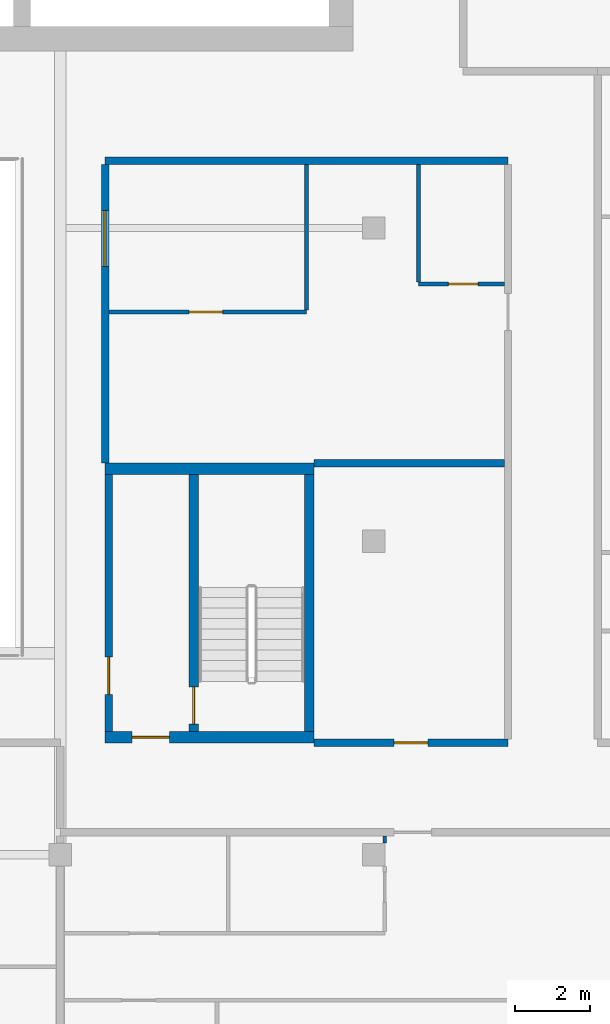
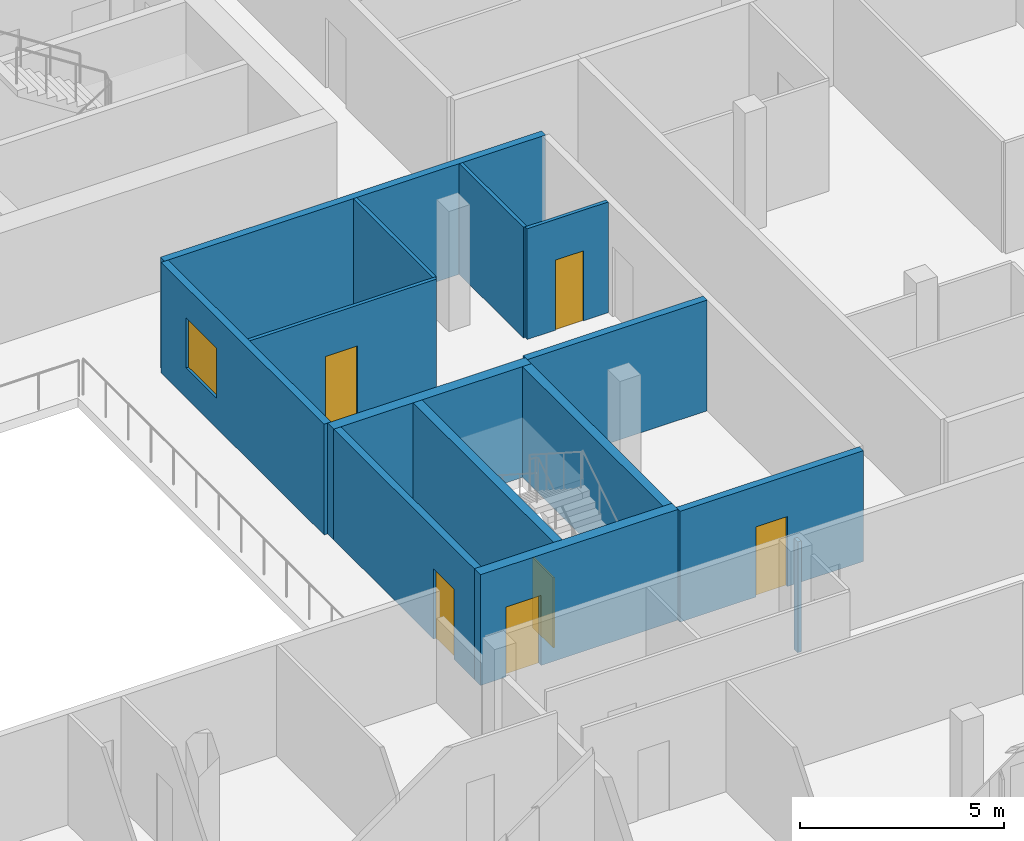
# One storey, part 20 of 30: 14 walls, 6 doors, 1 window, 7 openings.
"""IFC4 building model written with IfcOpenShell, lengths in metres."""

from ifc_helpers import new_model, si_unit, direction, frame, frame_2d, origin, place, context, subcontext, project, spatial, rectangle, extrude, material, layer, layer_set, type_object, element, fill, save


model = new_model("IFC4")

# Units and contexts
model_context = context("Model", 3, precision=1e-05, world=origin(), true_north=direction((0.0, 1.0)))
body_context = subcontext(model_context, "Body", "Model", "MODEL_VIEW")
ifc_project = project(units=[si_unit("LENGTHUNIT", "METRE"), si_unit("AREAUNIT", "SQUARE_METRE"), si_unit("VOLUMEUNIT", "CUBIC_METRE"), si_unit("PLANEANGLEUNIT", "RADIAN"), si_unit("MASSUNIT", "GRAM", prefix="KILO")], contexts=[model_context])

# Site, building, storey
site_placement = place(None, origin())
site = spatial("IfcSite", under=ifc_project, at=site_placement, CompositionType="ELEMENT")
building_placement = place(site_placement, origin())
building = spatial("IfcBuilding", under=site, at=building_placement, Name="Saffron Gate Tower", CompositionType="ELEMENT")
storey_placement = place(building_placement, frame((0.0, 0.0, 237.89990234375)))
storey = spatial("IfcBuildingStorey", under=building, at=storey_placement, Name="L58", CompositionType="ELEMENT", Elevation=237.89990234375)

# Wall, opening, door
ifc_material_1 = material(Name="Gypsum board partition on steel studs", Category="steel")
ifc_layer_1 = layer(ifc_material_1, 0.199951171875)
ifc_layer_set_1 = layer_set([ifc_layer_1], Name="CW10 Core partition 200")
wall_type_1 = type_object("IfcWallType", Name="CW10 Core partition 200", PredefinedType="PARTITIONING", material=ifc_layer_set_1)
wall_1_placement = place(storey_placement, frame((101.5, 43.5, 0.0), z_axis=(0.0, 0.0, 1.0), x_axis=(0.0, 1.0, 0.0)))
wall_1 = element("IfcWall", 1, at=wall_1_placement, inside=storey, type_object=wall_type_1, Name="Wall CW10-L58-E-2", PredefinedType="PARTITIONING", context=body_context, shape_type="SweptSolid", body=[
    extrude(rectangle(XDim=6.89990234375, YDim=0.199951171875, at=frame_2d((3.449951171875, 0.0))), origin(), (0.0, 0.0, 1.0), 3.320068359375),
])
opening_1_placement = place(wall_1_placement, frame((1.0, 0.0, 0.0)))
opening_1 = element("IfcOpeningElement", 2, at=opening_1_placement, cuts=wall_1, Name="Opening CR-22", PredefinedType="OPENING", context=body_context, shape_type="SweptSolid", body=[
    extrude(rectangle(XDim=1.0, YDim=2.10009765625, at=frame_2d((0.5, 1.050048828125))), frame((0.0, 0.10986328125, 0.0), z_axis=(0.0, -1.0, 0.0), x_axis=(1.0, 0.0, 0.0)), (0.0, 0.0, 1.0), 0.219970703125),
])
ifc_material_2 = material(Name="Steel fire door set", Category="steel")
door_type_1 = type_object("IfcDoorType", Name="CD4 Lobby door 1000x2100 EI 120", OperationType="NOTDEFINED", PredefinedType="DOOR", material=ifc_material_2)
door_1_placement = place(opening_1_placement, origin())
door_1 = element("IfcDoor", 3, at=door_1_placement, inside=storey, type_object=door_type_1, Name="DOOR CR-22", OperationType="SINGLE_SWING_LEFT", OverallHeight=2.10009765625, OverallWidth=1.0, PredefinedType="DOOR", context=body_context, shape_type="SweptSolid", body=[
    extrude(rectangle(XDim=1.0, YDim=2.10009765625, at=frame_2d((0.5, 1.050048828125))), frame((0.0, 0.02490234375, 0.0), z_axis=(0.0, -1.0, 0.0), x_axis=(1.0, 0.0, 0.0)), (0.0, 0.0, 1.0), 0.050048828125),
])
fill(opening_1, door_1)

ifc_material_3 = material(Name="Concrete C60", Category="concrete")
ifc_layer_2 = layer(ifc_material_3, 0.25)
ifc_layer_set_2 = layer_set([ifc_layer_2], Name="CW14 RC core wall 250 C60")
wall_type_2 = type_object("IfcWallType", Name="CW14 RC core wall 250 C60", PredefinedType="SOLIDWALL", material=ifc_layer_set_2)
wall_2_placement = place(storey_placement, frame((103.77490234375, 43.5, 0.0), z_axis=(0.0, 0.0, 1.0), x_axis=(0.0, 1.0, 0.0)))
wall_2 = element("IfcWall", 4, at=wall_2_placement, inside=storey, type_object=wall_type_2, Name="Wall CW14-L58-E-3", PredefinedType="SOLIDWALL", context=body_context, shape_type="SweptSolid", body=[
    extrude(rectangle(XDim=6.89990234375, YDim=0.25, at=frame_2d((3.449951171875, 0.0))), origin(), (0.0, 0.0, 1.0), 3.320068359375),
])
opening_2_placement = place(wall_2_placement, frame((0.199951171875, 0.0, 0.0)))
opening_2 = element("IfcOpeningElement", 5, at=opening_2_placement, cuts=wall_2, Name="Opening CR-23", PredefinedType="OPENING", context=body_context, shape_type="SweptSolid", body=[
    extrude(rectangle(XDim=1.0, YDim=2.10009765625, at=frame_2d((0.5, 1.050048828125))), frame((0.0, 0.135009765625, 0.0), z_axis=(0.0, -1.0, 0.0), x_axis=(1.0, 0.0, 0.0)), (0.0, 0.0, 1.0), 0.27001953125),
])
door_type_2 = type_object("IfcDoorType", Name="CD5 Stair door 1000x2100 EI 120", OperationType="NOTDEFINED", PredefinedType="DOOR", material=ifc_material_2)
door_2_placement = place(opening_2_placement, origin())
door_2 = element("IfcDoor", 6, at=door_2_placement, inside=storey, type_object=door_type_2, Name="DOOR CR-23", OperationType="SINGLE_SWING_RIGHT", OverallHeight=2.10009765625, OverallWidth=1.0, PredefinedType="DOOR", context=body_context, shape_type="SweptSolid", body=[
    extrude(rectangle(XDim=1.0, YDim=2.10009765625, at=frame_2d((0.5, 1.050048828125))), frame((0.0, 0.02490234375, 0.0), z_axis=(0.0, -1.0, 0.0), x_axis=(1.0, 0.0, 0.0)), (0.0, 0.0, 1.0), 0.050048828125),
])
fill(opening_2, door_2)

# Wall
wall_3_placement = place(storey_placement, frame((106.875, 43.5, 0.0), z_axis=(0.0, 0.0, 1.0), x_axis=(0.0, 1.0, 0.0)))
element("IfcWall", 7, at=wall_3_placement, inside=storey, type_object=wall_type_2, Name="Wall CW14-L58-E-4", PredefinedType="SOLIDWALL", context=body_context, shape_type="SweptSolid", body=[
    extrude(rectangle(XDim=6.89990234375, YDim=0.25, at=frame_2d((3.449951171875, 0.0))), origin(), (0.0, 0.0, 1.0), 3.320068359375),
])

# Wall, opening, door
ifc_layer_3 = layer(ifc_material_3, 0.300048828125)
ifc_layer_set_3 = layer_set([ifc_layer_3], Name="CW17 RC core wall 300 C60")
wall_type_3 = type_object("IfcWallType", Name="CW17 RC core wall 300 C60", PredefinedType="SOLIDWALL", material=ifc_layer_set_3)
wall_4_placement = place(storey_placement, frame((101.39990234375, 43.35009765625, 0.0), z_axis=(0.0, 0.0, 1.0), x_axis=(1.0, 0.0, 0.0)))
wall_4 = element("IfcWall", 8, at=wall_4_placement, inside=storey, type_object=wall_type_3, Name="Wall CW17-L58-E-1", PredefinedType="SOLIDWALL", context=body_context, shape_type="SweptSolid", body=[
    extrude(rectangle(XDim=5.60009765625, YDim=0.300048828125, at=frame_2d((2.800048828125, 0.0))), origin(), (0.0, 0.0, 1.0), 3.320068359375),
])
opening_3_placement = place(wall_4_placement, frame((0.72509765625, 0.0, 0.0)))
opening_3 = element("IfcOpeningElement", 9, at=opening_3_placement, cuts=wall_4, Name="Opening CR-21", PredefinedType="OPENING", context=body_context, shape_type="SweptSolid", body=[
    extrude(rectangle(XDim=1.0, YDim=2.10009765625, at=frame_2d((0.5, 1.050048828125))), frame((0.0, 0.16015625, 0.0), z_axis=(0.0, -1.0, 0.0), x_axis=(1.0, 0.0, 0.0)), (0.0, 0.0, 1.0), 0.320068359375),
])
door_3_placement = place(opening_3_placement, origin())
door_3 = element("IfcDoor", 10, at=door_3_placement, inside=storey, type_object=door_type_1, Name="DOOR CR-21", OperationType="SINGLE_SWING_RIGHT", OverallHeight=2.10009765625, OverallWidth=1.0, PredefinedType="DOOR", context=body_context, shape_type="SweptSolid", body=[
    extrude(rectangle(XDim=1.0, YDim=2.10009765625, at=frame_2d((0.5, 1.050048828125))), frame((0.0, 0.02490234375, 0.0), z_axis=(0.0, -1.0, 0.0), x_axis=(1.0, 0.0, 0.0)), (0.0, 0.0, 1.0), 0.050048828125),
])
fill(opening_3, door_3)

# Wall
wall_5_placement = place(storey_placement, frame((101.39990234375, 50.550048828125, 0.0), z_axis=(0.0, 0.0, 1.0), x_axis=(1.0, 0.0, 0.0)))
element("IfcWall", 11, at=wall_5_placement, inside=storey, type_object=wall_type_3, Name="Wall CW17-L58-E-5", PredefinedType="SOLIDWALL", context=body_context, shape_type="SweptSolid", body=[
    extrude(rectangle(XDim=5.60009765625, YDim=0.300048828125, at=frame_2d((2.800048828125, 0.0))), origin(), (0.0, 0.0, 1.0), 3.320068359375),
])

# Wall, opening, door
ifc_material_4 = material(Name="Plasterboard on steel studs", Category="steel")
ifc_layer_4 = layer(ifc_material_4, 0.10009765625)
ifc_layer_set_4 = layer_set([ifc_layer_4], Name="PW1 Partition 100")
wall_type_4 = type_object("IfcWallType", Name="PW1 Partition 100", PredefinedType="PARTITIONING", material=ifc_layer_set_4)
wall_6_placement = place(storey_placement, frame((101.5, 54.75, 0.0), z_axis=(0.0, 0.0, 1.0), x_axis=(1.0, 0.0, 0.0)))
wall_6 = element("IfcWall", 12, at=wall_6_placement, inside=storey, type_object=wall_type_4, Name="Partition D4-36", PredefinedType="PARTITIONING", context=body_context, shape_type="SweptSolid", body=[
    extrude(rectangle(XDim=5.300048828125, YDim=0.10009765625, at=frame_2d((2.64990234375, 0.0))), origin(), (0.0, 0.0, 1.0), 3.320068359375),
])
opening_4_placement = place(wall_6_placement, frame((2.14990234375, 0.0, 0.0)))
opening_4 = element("IfcOpeningElement", 13, at=opening_4_placement, cuts=wall_6, Name="Opening D4-36", PredefinedType="OPENING", context=body_context, shape_type="SweptSolid", body=[
    extrude(rectangle(XDim=0.89990234375, YDim=2.10009765625, at=frame_2d((0.449951171875, 1.050048828125))), frame((0.0, 0.06005859375, 0.0), z_axis=(0.0, -1.0, 0.0), x_axis=(1.0, 0.0, 0.0)), (0.0, 0.0, 1.0), 0.1201171875),
])
ifc_material_5 = material(Name="Timber door set", Category="wood")
door_type_3 = type_object("IfcDoorType", Name="RD1 Room door 900x2100", OperationType="NOTDEFINED", PredefinedType="DOOR", material=ifc_material_5)
door_4_placement = place(opening_4_placement, origin())
door_4 = element("IfcDoor", 14, at=door_4_placement, inside=storey, type_object=door_type_3, Name="Door D4-36", OperationType="SINGLE_SWING_LEFT", OverallHeight=2.10009765625, OverallWidth=0.89990234375, PredefinedType="DOOR", context=body_context, shape_type="SweptSolid", body=[
    extrude(rectangle(XDim=0.89990234375, YDim=2.10009765625, at=frame_2d((0.449951171875, 1.050048828125))), frame((0.0, 0.02490234375, 0.0), z_axis=(0.0, -1.0, 0.0), x_axis=(1.0, 0.0, 0.0)), (0.0, 0.0, 1.0), 0.050048828125),
])
fill(opening_4, door_4)

wall_7_placement = place(storey_placement, frame((109.800048828125, 55.5, 0.0), z_axis=(0.0, 0.0, 1.0), x_axis=(1.0, 0.0, 0.0)))
wall_7 = element("IfcWall", 15, at=wall_7_placement, inside=storey, type_object=wall_type_4, Name="Partition D4-37", PredefinedType="PARTITIONING", context=body_context, shape_type="SweptSolid", body=[
    extrude(rectangle(XDim=2.300048828125, YDim=0.10009765625, at=frame_2d((1.14990234375, 0.0))), origin(), (0.0, 0.0, 1.0), 3.320068359375),
])
opening_5_placement = place(wall_7_placement, frame((0.800048828125, 0.0, 0.0)))
opening_5 = element("IfcOpeningElement", 16, at=opening_5_placement, cuts=wall_7, Name="Opening D4-50", PredefinedType="OPENING", context=body_context, shape_type="SweptSolid", body=[
    extrude(rectangle(XDim=0.800048828125, YDim=2.10009765625, at=frame_2d((0.39990234375, 1.050048828125))), frame((0.0, 0.06005859375, 0.0), z_axis=(0.0, -1.0, 0.0), x_axis=(1.0, 0.0, 0.0)), (0.0, 0.0, 1.0), 0.1201171875),
])
door_type_4 = type_object("IfcDoorType", Name="RD2 Bathroom door 800x2100", OperationType="NOTDEFINED", PredefinedType="DOOR", material=ifc_material_5)
door_5_placement = place(opening_5_placement, origin())
door_5 = element("IfcDoor", 17, at=door_5_placement, inside=storey, type_object=door_type_4, Name="Door D4-50", OperationType="SINGLE_SWING_RIGHT", OverallHeight=2.10009765625, OverallWidth=0.800048828125, PredefinedType="DOOR", context=body_context, shape_type="SweptSolid", body=[
    extrude(rectangle(XDim=0.800048828125, YDim=2.10009765625, at=frame_2d((0.39990234375, 1.050048828125))), frame((0.0, 0.02490234375, 0.0), z_axis=(0.0, -1.0, 0.0), x_axis=(1.0, 0.0, 0.0)), (0.0, 0.0, 1.0), 0.050048828125),
])
fill(opening_5, door_5)

# Walls
wall_8_placement = place(storey_placement, frame((106.800048828125, 58.699951171875, 0.0), z_axis=(0.0, 0.0, 1.0), x_axis=(0.0, -1.0, 0.0)))
element("IfcWall", 18, at=wall_8_placement, inside=storey, type_object=wall_type_4, Name="Partition D4-98", PredefinedType="PARTITIONING", context=body_context, shape_type="SweptSolid", body=[
    extrude(rectangle(XDim=3.89990234375, YDim=0.10009765625, at=frame_2d((1.949951171875, 0.0))), origin(), (0.0, 0.0, 1.0), 3.320068359375),
])
wall_9_placement = place(storey_placement, frame((108.89990234375, 40.699951171875, 0.0), z_axis=(0.0, 0.0, 1.0), x_axis=(0.0, -1.0, 0.0)))
element("IfcWall", 19, at=wall_9_placement, inside=storey, type_object=wall_type_4, Name="Partition D4-100", PredefinedType="PARTITIONING", context=body_context, shape_type="SweptSolid", body=[
    extrude(rectangle(XDim=0.179931640625, YDim=0.10009765625, at=frame_2d((0.08984375, 0.0))), origin(), (0.0, 0.0, 1.0), 3.320068359375),
])
wall_10_placement = place(storey_placement, frame((109.800048828125, 58.699951171875, 0.0), z_axis=(0.0, 0.0, 1.0), x_axis=(0.0, -1.0, 0.0)))
element("IfcWall", 20, at=wall_10_placement, inside=storey, type_object=wall_type_4, Name="Partition D4-101", PredefinedType="PARTITIONING", context=body_context, shape_type="SweptSolid", body=[
    extrude(rectangle(XDim=3.14990234375, YDim=0.10009765625, at=frame_2d((1.574951171875, 0.0))), origin(), (0.0, 0.0, 1.0), 3.320068359375),
])
ifc_material_6 = material(Name="Clay brick masonry, rendered", Category="masonry")
ifc_layer_5 = layer(ifc_material_6, 0.199951171875)
ifc_layer_set_5 = layer_set([ifc_layer_5], Name="PW2 Demising wall 200")
wall_type_5 = type_object("IfcWallType", Name="PW2 Demising wall 200", PredefinedType="PARTITIONING", material=ifc_layer_set_5)
wall_11_placement = place(storey_placement, frame((107.0, 50.699951171875, 0.0), z_axis=(0.0, 0.0, 1.0), x_axis=(1.0, 0.0, 0.0)))
element("IfcWall", 21, at=wall_11_placement, inside=storey, type_object=wall_type_5, Name="Wall D4-30", PredefinedType="PARTITIONING", context=body_context, shape_type="SweptSolid", body=[
    extrude(rectangle(XDim=5.10009765625, YDim=0.199951171875, at=frame_2d((2.550048828125, 0.0))), origin(), (0.0, 0.0, 1.0), 3.320068359375),
])

# Wall, opening, door
ifc_layer_6 = layer(ifc_material_6, 0.199951171875)
ifc_layer_set_6 = layer_set([ifc_layer_6], Name="PW3 Corridor wall 200")
wall_type_6 = type_object("IfcWallType", Name="PW3 Corridor wall 200", PredefinedType="PARTITIONING", material=ifc_layer_set_6)
wall_12_placement = place(storey_placement, frame((107.0, 43.199951171875, 0.0), z_axis=(0.0, 0.0, 1.0), x_axis=(1.0, 0.0, 0.0)))
wall_12 = element("IfcWall", 22, at=wall_12_placement, inside=storey, type_object=wall_type_6, Name="Wall D4-19", PredefinedType="PARTITIONING", context=body_context, shape_type="SweptSolid", body=[
    extrude(rectangle(XDim=5.199951171875, YDim=0.199951171875, at=frame_2d((2.60009765625, 0.0))), origin(), (0.0, 0.0, 1.0), 3.320068359375),
])
opening_6_placement = place(wall_12_placement, frame((2.14990234375, 0.0, 0.0)))
opening_6 = element("IfcOpeningElement", 23, at=opening_6_placement, cuts=wall_12, Name="Opening D4-51", PredefinedType="OPENING", context=body_context, shape_type="SweptSolid", body=[
    extrude(rectangle(XDim=0.89990234375, YDim=2.10009765625, at=frame_2d((0.449951171875, 1.050048828125))), frame((0.0, 0.10986328125, 0.0), z_axis=(0.0, -1.0, 0.0), x_axis=(1.0, 0.0, 0.0)), (0.0, 0.0, 1.0), 0.219970703125),
])
door_type_5 = type_object("IfcDoorType", Name="SD1 Service door 900x2100", OperationType="NOTDEFINED", PredefinedType="DOOR", material=ifc_material_2)
door_6_placement = place(opening_6_placement, origin())
door_6 = element("IfcDoor", 24, at=door_6_placement, inside=storey, type_object=door_type_5, Name="Door D4-51", OperationType="SINGLE_SWING_LEFT", OverallHeight=2.10009765625, OverallWidth=0.89990234375, PredefinedType="DOOR", context=body_context, shape_type="SweptSolid", body=[
    extrude(rectangle(XDim=0.89990234375, YDim=2.10009765625, at=frame_2d((0.449951171875, 1.050048828125))), frame((0.0, 0.02490234375, 0.0), z_axis=(0.0, -1.0, 0.0), x_axis=(1.0, 0.0, 0.0)), (0.0, 0.0, 1.0), 0.050048828125),
])
fill(opening_6, door_6)

# Wall
wall_13_placement = place(storey_placement, frame((101.39990234375, 58.800048828125, 0.0), z_axis=(0.0, 0.0, 1.0), x_axis=(1.0, 0.0, 0.0)))
element("IfcWall", 25, at=wall_13_placement, inside=storey, type_object=wall_type_6, Name="Wall D4-44", PredefinedType="PARTITIONING", context=body_context, shape_type="SweptSolid", body=[
    extrude(rectangle(XDim=10.800048828125, YDim=0.199951171875, at=frame_2d((5.39990234375, 0.0))), origin(), (0.0, 0.0, 1.0), 3.320068359375),
])

# Wall, opening, window
wall_14_placement = place(storey_placement, frame((101.39990234375, 58.699951171875, 0.0), z_axis=(0.0, 0.0, 1.0), x_axis=(0.0, -1.0, 0.0)))
wall_14 = element("IfcWall", 26, at=wall_14_placement, inside=storey, type_object=wall_type_6, Name="Wall D4-95", PredefinedType="PARTITIONING", context=body_context, shape_type="SweptSolid", body=[
    extrude(rectangle(XDim=8.0, YDim=0.199951171875, at=frame_2d((4.0, 0.0))), origin(), (0.0, 0.0, 1.0), 3.320068359375),
])
opening_7_placement = place(wall_14_placement, frame((1.22509765625, 0.0, 0.89990234375)))
opening_7 = element("IfcOpeningElement", 27, at=opening_7_placement, cuts=wall_14, Name="Opening GW1", PredefinedType="OPENING", context=body_context, shape_type="SweptSolid", body=[
    extrude(rectangle(XDim=1.5, YDim=1.5, at=frame_2d((0.75, 0.75))), frame((0.0, 0.10986328125, 0.0), z_axis=(0.0, -1.0, 0.0), x_axis=(1.0, 0.0, 0.0)), (0.0, 0.0, 1.0), 0.219970703125),
])
ifc_material_7 = material(Name="Fire-resisting laminated glass in steel frame", Category="steel")
ifc_layer_7 = layer(ifc_material_7, 0.06005859375)
ifc_layer_set_7 = layer_set([ifc_layer_7], Name="GW1 Gallery window 1500x1500")
window_type = type_object("IfcWindowType", Name="GW1 Gallery window 1500x1500", PartitioningType="SINGLE_PANEL", PredefinedType="WINDOW", material=ifc_layer_set_7)
window_placement = place(opening_7_placement, origin())
window = element("IfcWindow", 28, at=window_placement, inside=storey, type_object=window_type, Name="GW1 window D4-J-B1", OverallHeight=1.5, OverallWidth=1.5, PartitioningType="SINGLE_PANEL", PredefinedType="WINDOW", context=body_context, shape_type="SweptSolid", body=[
    extrude(rectangle(XDim=1.5, YDim=1.5, at=frame_2d((0.75, 0.75))), frame((0.0, 0.030029296875, 0.0), z_axis=(0.0, -1.0, 0.0), x_axis=(1.0, 0.0, 0.0)), (0.0, 0.0, 1.0), 0.06005859375),
])
fill(opening_7, window)

save(model, "model.ifc")
